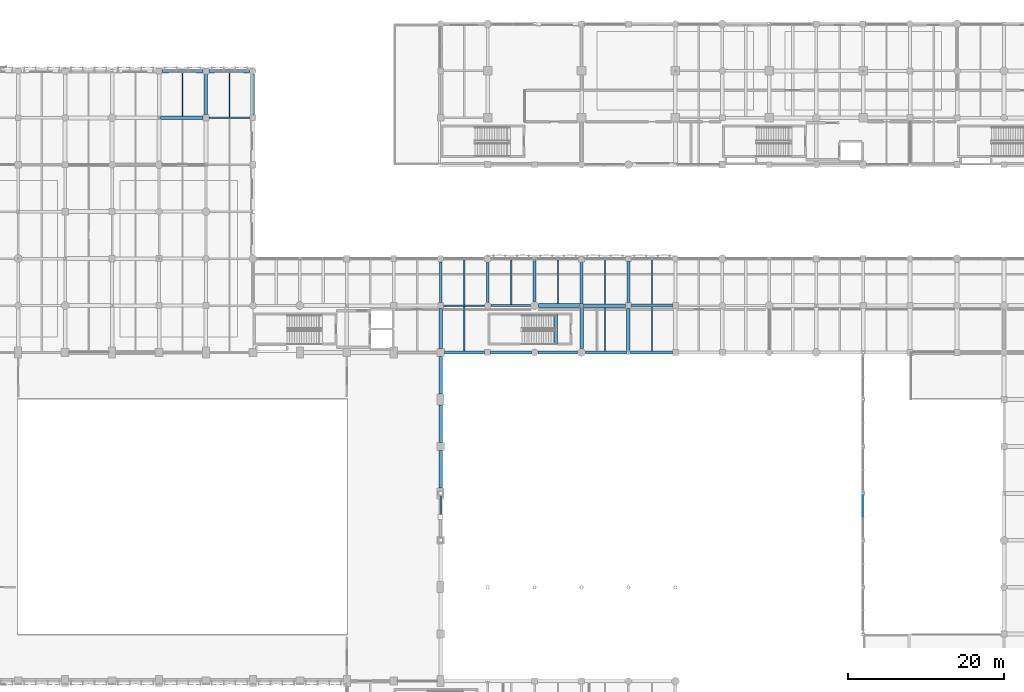
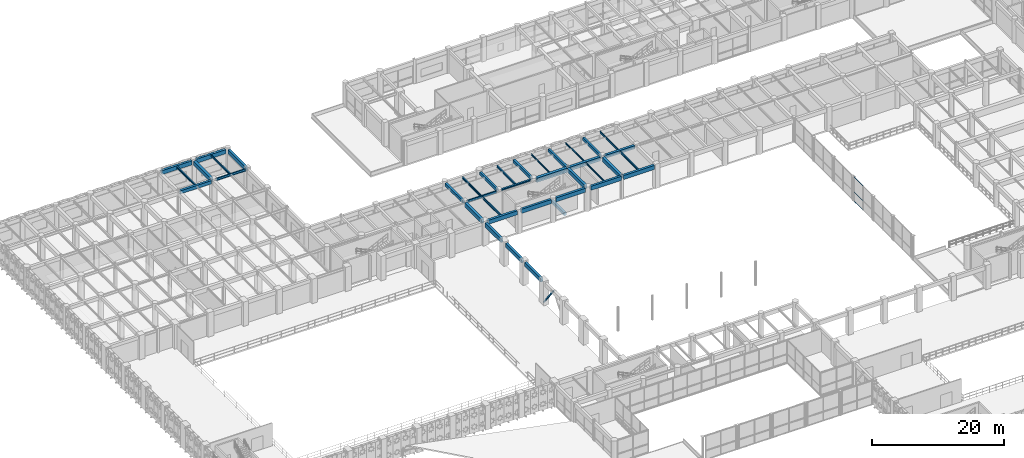
# One storey, part 37 of 133: 38 beams, 4 members, 1 element without a shape of its own.
"""IFC4 building model written with IfcOpenShell, lengths in metres."""

from ifc_helpers import new_model, si_unit, direction, frame, origin, origin_2d, place, context, subcontext, project, spatial, rectangle, hollow_rectangle, i_section, extrude, material, material_profile, profile_set, type_object, element, aggregate, save


model = new_model("IFC4")

# Units and contexts
model_context = context("Model", 3, precision=1e-05, world=origin(), true_north=direction((0.0, 1.0)))
body_context = subcontext(model_context, "Body", "Model", "MODEL_VIEW")
ifc_project = project(units=[si_unit("LENGTHUNIT", "METRE"), si_unit("AREAUNIT", "SQUARE_METRE"), si_unit("VOLUMEUNIT", "CUBIC_METRE"), si_unit("PLANEANGLEUNIT", "RADIAN"), si_unit("MASSUNIT", "GRAM", prefix="KILO"), si_unit("THERMODYNAMICTEMPERATUREUNIT", "KELVIN"), si_unit("POWERUNIT", "WATT")], contexts=[model_context])

# Site, building, storey
site_placement = place(None, origin())
site = spatial("IfcSite", under=ifc_project, at=site_placement, CompositionType="ELEMENT")
building_placement = place(site_placement, origin())
building = spatial("IfcBuilding", under=site, at=building_placement, Name="Phaisarnlok Congress Hotel", CompositionType="ELEMENT")
storey_placement = place(building_placement, frame((0.0, 0.0, 6.0)))
storey = spatial("IfcBuildingStorey", under=building, at=storey_placement, Name="L01", CompositionType="ELEMENT", Elevation=6.0)

# Beams
ifc_material_1 = material(Name="Concrete C40/50", Category="concrete")
ifc_material_profile_1 = material_profile(ifc_material_1, rectangle(XDim=0.35009765625, YDim=0.550048828125, at=origin_2d()), Name="RC 350x550")
ifc_profile_set_1 = profile_set([ifc_material_profile_1], Name="Concrete C40/50")
beam_type_1 = type_object("IfcBeamType", Name="BM-RC-350x550", PredefinedType="BEAM", material=ifc_profile_set_1)
beam_1_placement = place(storey_placement, frame((66.0, 90.3701171875, 3.945068359375), z_axis=(0.0, 1.0, 0.0), x_axis=(-1.0, 0.0, 0.0)))
element("IfcBeam", 1, at=beam_1_placement, inside=storey, type_object=beam_type_1, Name="Beam B-01", PredefinedType="BEAM", context=body_context, shape_type="SweptSolid", body=[
    extrude(rectangle(XDim=0.35009765625, YDim=0.550048828125, at=origin_2d()), origin(), (0.0, 0.0, 1.0), 5.2099609375),
])
beam_2_placement = place(storey_placement, frame((72.0, 90.419921875, 3.945068359375), z_axis=(0.0, 1.0, 0.0), x_axis=(-1.0, 0.0, 0.0)))
element("IfcBeam", 2, at=beam_2_placement, inside=storey, type_object=beam_type_1, Name="Beam B-01", PredefinedType="BEAM", context=body_context, shape_type="SweptSolid", body=[
    extrude(rectangle(XDim=0.35009765625, YDim=0.550048828125, at=origin_2d()), origin(), (0.0, 0.0, 1.0), 5.0849609375),
])
beam_3_placement = place(storey_placement, frame((78.0, 90.4951171875, 3.945068359375), z_axis=(0.0, 1.0, 0.0), x_axis=(-1.0, 0.0, 0.0)))
element("IfcBeam", 3, at=beam_3_placement, inside=storey, type_object=beam_type_1, Name="Beam B-01", PredefinedType="BEAM", context=body_context, shape_type="SweptSolid", body=[
    extrude(rectangle(XDim=0.35009765625, YDim=0.550048828125, at=origin_2d()), origin(), (0.0, 0.0, 1.0), 5.310302734375),
])
beam_4_placement = place(storey_placement, frame((84.0, 90.194580078125, 3.945068359375), z_axis=(0.0, 1.0, 0.0), x_axis=(-1.0, 0.0, 0.0)))
element("IfcBeam", 4, at=beam_4_placement, inside=storey, type_object=beam_type_1, Name="Beam B-01", PredefinedType="BEAM", context=body_context, shape_type="SweptSolid", body=[
    extrude(rectangle(XDim=0.35009765625, YDim=0.550048828125, at=origin_2d()), origin(), (0.0, 0.0, 1.0), 5.410400390625),
])
beam_5_placement = place(storey_placement, frame((90.0, 90.39501953125, 3.945068359375), z_axis=(0.0, 1.0, 0.0), x_axis=(-1.0, 0.0, 0.0)))
element("IfcBeam", 5, at=beam_5_placement, inside=storey, type_object=beam_type_1, Name="Beam B-01", PredefinedType="BEAM", context=body_context, shape_type="SweptSolid", body=[
    extrude(rectangle(XDim=0.35009765625, YDim=0.550048828125, at=origin_2d()), origin(), (0.0, 0.0, 1.0), 5.23486328125),
])
ifc_material_profile_2 = material_profile(ifc_material_1, rectangle(XDim=0.39990234375, YDim=0.60009765625, at=origin_2d()), Name="RC 400x600")
ifc_profile_set_2 = profile_set([ifc_material_profile_2], Name="Concrete C40/50")
beam_type_2 = type_object("IfcBeamType", Name="BM-RC-400x600", PredefinedType="BEAM", material=ifc_profile_set_2)
beam_6_placement = place(storey_placement, frame((30.195556640625, 114.0, 3.919921875), z_axis=(1.0, 0.0, 0.0), x_axis=(0.0, 1.0, 0.0)))
element("IfcBeam", 6, at=beam_6_placement, inside=storey, type_object=beam_type_2, Name="Beam B-02", PredefinedType="BEAM", context=body_context, shape_type="SweptSolid", body=[
    extrude(rectangle(XDim=0.39990234375, YDim=0.60009765625, at=origin_2d()), origin(), (0.0, 0.0, 1.0), 5.409423828125),
])
beam_7_placement = place(storey_placement, frame((90.39501953125, 90.0, 3.919921875), z_axis=(1.0, 0.0, 0.0), x_axis=(0.0, 1.0, 0.0)))
element("IfcBeam", 7, at=beam_7_placement, inside=storey, type_object=beam_type_2, Name="Beam B-02", PredefinedType="BEAM", context=body_context, shape_type="SweptSolid", body=[
    extrude(rectangle(XDim=0.39990234375, YDim=0.60009765625, at=origin_2d()), origin(), (0.0, 0.0, 1.0), 5.23486328125),
])
beam_8_placement = place(storey_placement, frame((80.719970703125, 85.080078125, -0.300048828125), z_axis=(0.0, 1.0, 0.0), x_axis=(-1.0, 0.0, 0.0)))
element("IfcBeam", 8, at=beam_8_placement, inside=storey, type_object=beam_type_2, Name="Stair landing header beam B-02 (STAIR-POD-C L01)", PredefinedType="BEAM", context=body_context, shape_type="SweptSolid", body=[
    extrude(rectangle(XDim=0.39990234375, YDim=0.60009765625, at=origin_2d()), origin(), (0.0, 0.0, 1.0), 3.83984375),
])
ifc_material_profile_3 = material_profile(ifc_material_1, rectangle(XDim=0.449951171875, YDim=0.699951171875, at=origin_2d()), Name="RC 450x700")
ifc_profile_set_3 = profile_set([ifc_material_profile_3], Name="Concrete C40/50")
beam_type_3 = type_object("IfcBeamType", Name="BM-RC-450x700", PredefinedType="BEAM", material=ifc_profile_set_3)
beam_9_placement = place(storey_placement, frame((36.0, 114.39501953125, 3.8701171875), z_axis=(0.0, 1.0, 0.0), x_axis=(-1.0, 0.0, 0.0)))
element("IfcBeam", 9, at=beam_9_placement, inside=storey, type_object=beam_type_3, Name="Beam B-03", PredefinedType="BEAM", context=body_context, shape_type="SweptSolid", body=[
    extrude(rectangle(XDim=0.449951171875, YDim=0.699951171875, at=origin_2d()), origin(), (0.0, 0.0, 1.0), 5.23486328125),
])
beam_10_placement = place(storey_placement, frame((66.0, 84.4951171875, 3.8701171875), z_axis=(0.0, 1.0, 0.0), x_axis=(-1.0, 0.0, 0.0)))
element("IfcBeam", 10, at=beam_10_placement, inside=storey, type_object=beam_type_3, Name="Beam B-03", PredefinedType="BEAM", context=body_context, shape_type="SweptSolid", body=[
    extrude(rectangle(XDim=0.449951171875, YDim=0.699951171875, at=origin_2d()), origin(), (0.0, 0.0, 1.0), 5.134765625),
])
beam_11_placement = place(storey_placement, frame((84.0, 84.4951171875, 3.8701171875), z_axis=(0.0, 1.0, 0.0), x_axis=(-1.0, 0.0, 0.0)))
element("IfcBeam", 11, at=beam_11_placement, inside=storey, type_object=beam_type_3, Name="Beam B-03", PredefinedType="BEAM", context=body_context, shape_type="SweptSolid", body=[
    extrude(rectangle(XDim=0.449951171875, YDim=0.699951171875, at=origin_2d()), origin(), (0.0, 0.0, 1.0), 5.310302734375),
])
beam_12_placement = place(storey_placement, frame((84.195556640625, 90.0, 3.8701171875), z_axis=(1.0, 0.0, 0.0), x_axis=(0.0, 1.0, 0.0)))
element("IfcBeam", 12, at=beam_12_placement, inside=storey, type_object=beam_type_3, Name="Beam B-03", PredefinedType="BEAM", context=body_context, shape_type="SweptSolid", body=[
    extrude(rectangle(XDim=0.449951171875, YDim=0.699951171875, at=origin_2d()), origin(), (0.0, 0.0, 1.0), 5.409423828125),
])
beam_13_placement = place(storey_placement, frame((90.0, 84.194580078125, 3.8701171875), z_axis=(0.0, 1.0, 0.0), x_axis=(-1.0, 0.0, 0.0)))
element("IfcBeam", 13, at=beam_13_placement, inside=storey, type_object=beam_type_3, Name="Beam B-03", PredefinedType="BEAM", context=body_context, shape_type="SweptSolid", body=[
    extrude(rectangle(XDim=0.449951171875, YDim=0.699951171875, at=origin_2d()), origin(), (0.0, 0.0, 1.0), 5.410400390625),
])
ifc_material_profile_4 = material_profile(ifc_material_1, rectangle(XDim=0.5, YDim=0.800048828125, at=origin_2d()), Name="RC 500x800")
ifc_profile_set_4 = profile_set([ifc_material_profile_4], Name="Concrete C40/50")
beam_type_4 = type_object("IfcBeamType", Name="BM-RC-500x800", PredefinedType="BEAM", material=ifc_profile_set_4)
beam_14_placement = place(storey_placement, frame((78.4951171875, 90.0, 3.820068359375), z_axis=(1.0, 0.0, 0.0), x_axis=(0.0, 1.0, 0.0)))
element("IfcBeam", 14, at=beam_14_placement, inside=storey, type_object=beam_type_4, Name="Beam B-04", PredefinedType="BEAM", context=body_context, shape_type="SweptSolid", body=[
    extrude(rectangle(XDim=0.5, YDim=0.800048828125, at=origin_2d()), origin(), (0.0, 0.0, 1.0), 5.309326171875),
])
ifc_material_2 = material(Name="Steel S355", Category="steel")
ifc_material_profile_5 = material_profile(ifc_material_2, i_section(OverallWidth=0.300048828125, OverallDepth=0.2900390625, WebThickness=0.008544921875, FlangeThickness=0.013916015625, FilletRadius=0.027099609375, at=origin_2d()), Name="HEA 300")
ifc_profile_set_5 = profile_set([ifc_material_profile_5], Name="Steel S355")
beam_type_5 = type_object("IfcBeamType", Name="BM-STL-HEA300", PredefinedType="BEAM", material=ifc_profile_set_5)
beam_15_placement = place(storey_placement, frame((72.419921875, 90.0, 4.074951171875), z_axis=(1.0, 0.0, 0.0), x_axis=(0.0, 1.0, 0.0)))
element("IfcBeam", 15, at=beam_15_placement, inside=storey, type_object=beam_type_5, Name="Beam SB-05", PredefinedType="BEAM", context=body_context, shape_type="SweptSolid", body=[
    extrude(i_section(OverallWidth=0.300048828125, OverallDepth=0.2900390625, WebThickness=0.008544921875, FlangeThickness=0.013916015625, FilletRadius=0.027099609375, at=origin_2d()), origin(), (0.0, 0.0, 1.0), 5.0849609375),
])
ifc_material_profile_6 = material_profile(ifc_material_2, i_section(OverallWidth=0.18994140625, OverallDepth=0.449951171875, WebThickness=0.009521484375, FlangeThickness=0.0146484375, FilletRadius=0.02099609375, at=origin_2d()), Name="IPE 450")
ifc_profile_set_6 = profile_set([ifc_material_profile_6], Name="Steel S355")
beam_type_6 = type_object("IfcBeamType", Name="BM-STL-IPE450", PredefinedType="BEAM", material=ifc_profile_set_6)
beam_16_placement = place(storey_placement, frame((36.39501953125, 114.0, 3.9951171875), z_axis=(1.0, 0.0, 0.0), x_axis=(0.0, 1.0, 0.0)))
element("IfcBeam", 16, at=beam_16_placement, inside=storey, type_object=beam_type_6, Name="Beam SB-01", PredefinedType="BEAM", context=body_context, shape_type="SweptSolid", body=[
    extrude(i_section(OverallWidth=0.18994140625, OverallDepth=0.449951171875, WebThickness=0.009521484375, FlangeThickness=0.0146484375, FilletRadius=0.02099609375, at=origin_2d()), origin(), (0.0, 0.0, 1.0), 5.23486328125),
])
beam_17_placement = place(storey_placement, frame((66.3701171875, 90.0, 3.9951171875), z_axis=(1.0, 0.0, 0.0), x_axis=(0.0, 1.0, 0.0)))
element("IfcBeam", 17, at=beam_17_placement, inside=storey, type_object=beam_type_6, Name="Beam SB-01", PredefinedType="BEAM", context=body_context, shape_type="SweptSolid", body=[
    extrude(i_section(OverallWidth=0.18994140625, OverallDepth=0.449951171875, WebThickness=0.009521484375, FlangeThickness=0.0146484375, FilletRadius=0.02099609375, at=origin_2d()), origin(), (0.0, 0.0, 1.0), 5.2099609375),
])

# Curtain wall, members
ifc_material_3 = material(Name="Thermally Broken Unitised Aluminium & Low-E Glazing", Category="aluminium")
curtain_wall_type = type_object("IfcCurtainWallType", Name="CW-UNIT-43", PredefinedType="NOTDEFINED", material=ifc_material_3)
curtain_wall_placement = place(storey_placement, origin())
curtain_wall = element("IfcCurtainWall", 18, at=curtain_wall_placement, inside=storey, type_object=curtain_wall_type, Name="Unitised curtain wall CW-43 (L01)", PredefinedType="NOTDEFINED")
ifc_material_4 = material(Name="Anodised Aluminium Alloy 6063-T6", Category="aluminium")
ifc_material_profile_7 = material_profile(ifc_material_4, hollow_rectangle(XDim=0.06494140625, YDim=0.139892578125, WallThickness=0.00390625, at=origin_2d()), Name="ALU-T 65x140x4")
ifc_profile_set_7 = profile_set([ifc_material_profile_7], Name="Anodised Aluminium Alloy 6063-T6")
member_type_1 = type_object("IfcMemberType", Name="CWT-150", PredefinedType="USERDEFINED", material=ifc_profile_set_7)
member_1_placement = place(storey_placement, frame((120.0, 65.739990234375, 0.030029296875), z_axis=(0.0, -1.0, 0.0), x_axis=(1.0, 0.0, 0.0)))
member_1 = element("IfcMember", 19, at=member_1_placement, type_object=member_type_1, Name="Curtain wall transom CWT-01", ObjectType="TRANSOM", PredefinedType="USERDEFINED", context=body_context, shape_type="SweptSolid", body=[
    extrude(hollow_rectangle(XDim=0.06494140625, YDim=0.139892578125, WallThickness=0.00390625, at=origin_2d()), origin(), (0.0, 0.0, 1.0), 2.72509765625),
])
member_2_placement = place(storey_placement, frame((120.0, 65.739990234375, 1.701416015625), z_axis=(0.0, -1.0, 0.0), x_axis=(1.0, 0.0, 0.0)))
member_2 = element("IfcMember", 20, at=member_2_placement, type_object=member_type_1, Name="Curtain wall transom CWT-01", ObjectType="TRANSOM", PredefinedType="USERDEFINED", context=body_context, shape_type="SweptSolid", body=[
    extrude(hollow_rectangle(XDim=0.06494140625, YDim=0.139892578125, WallThickness=0.00390625, at=origin_2d()), origin(), (0.0, 0.0, 1.0), 2.72509765625),
])
member_3_placement = place(storey_placement, frame((120.0, 65.739990234375, 4.4599609375), z_axis=(0.0, -1.0, 0.0), x_axis=(1.0, 0.0, 0.0)))
member_3 = element("IfcMember", 21, at=member_3_placement, type_object=member_type_1, Name="Curtain wall transom CWT-01", ObjectType="TRANSOM", PredefinedType="USERDEFINED", context=body_context, shape_type="SweptSolid", body=[
    extrude(hollow_rectangle(XDim=0.06494140625, YDim=0.139892578125, WallThickness=0.00390625, at=origin_2d()), origin(), (0.0, 0.0, 1.0), 2.72509765625),
])
aggregate(curtain_wall, [member_1, member_2, member_3])

# Beams
ifc_material_profile_8 = material_profile(ifc_material_2, i_section(OverallWidth=0.135009765625, OverallDepth=0.27001953125, WebThickness=0.006591796875, FlangeThickness=0.01025390625, FilletRadius=0.014892578125, at=origin_2d()), Name="IPE 270")
ifc_profile_set_8 = profile_set([ifc_material_profile_8], Name="Steel S355")
beam_type_7 = type_object("IfcBeamType", Name="JS-STL-IPE270", PredefinedType="JOIST", material=ifc_profile_set_8)
beam_18_placement = place(storey_placement, frame((81.0, 90.2451171875, 4.0849609375), z_axis=(0.0, 1.0, 0.0), x_axis=(-1.0, 0.0, 0.0)))
element("IfcBeam", 22, at=beam_18_placement, inside=storey, type_object=beam_type_7, Name="Secondary floor joist J-02", PredefinedType="JOIST", context=body_context, shape_type="SweptSolid", body=[
    extrude(i_section(OverallWidth=0.135009765625, OverallDepth=0.27001953125, WebThickness=0.006591796875, FlangeThickness=0.01025390625, FilletRadius=0.014892578125, at=origin_2d()), origin(), (0.0, 0.0, 1.0), 5.559814453125),
])
for number, where, z_axis, x_axis, name in (
    (23, (87.0, 84.195068359375, 4.0849609375), (0.0, 1.0, 0.0), (-1.0, 0.0, 0.0), "Secondary floor joist J-02"),
    (24, (87.0, 90.219970703125, 4.0849609375), (0.0, 1.0, 0.0), (-1.0, 0.0, 0.0), "Secondary floor joist J-02"),
):
    element("IfcBeam", number, at=place(storey_placement, frame(where, z_axis=z_axis, x_axis=x_axis)), inside=storey, type_object=beam_type_7, Name=name, PredefinedType="JOIST", context=body_context, shape_type="SweptSolid", body=[
        extrude(i_section(OverallWidth=0.135009765625, OverallDepth=0.27001953125, WebThickness=0.006591796875, FlangeThickness=0.01025390625, FilletRadius=0.014892578125, at=origin_2d()), origin(), (0.0, 0.0, 1.0), 5.5849609375),
    ])
ifc_material_profile_9 = material_profile(ifc_material_2, i_section(OverallWidth=0.169921875, OverallDepth=0.360107421875, WebThickness=0.008056640625, FlangeThickness=0.0126953125, FilletRadius=0.01806640625, at=origin_2d()), Name="IPE 360")
ifc_profile_set_9 = profile_set([ifc_material_profile_9], Name="Steel S355")
beam_type_8 = type_object("IfcBeamType", Name="JS-STL-IPE360", PredefinedType="JOIST", material=ifc_profile_set_9)
beam_19_placement = place(storey_placement, frame((33.0, 114.195068359375, 4.0400390625), z_axis=(0.0, 1.0, 0.0), x_axis=(-1.0, 0.0, 0.0)))
element("IfcBeam", 25, at=beam_19_placement, inside=storey, type_object=beam_type_8, Name="Secondary floor joist J-04", PredefinedType="JOIST", context=body_context, shape_type="SweptSolid", body=[
    extrude(i_section(OverallWidth=0.169921875, OverallDepth=0.360107421875, WebThickness=0.008056640625, FlangeThickness=0.0126953125, FilletRadius=0.01806640625, at=origin_2d()), origin(), (0.0, 0.0, 1.0), 5.60986328125),
])
beam_20_placement = place(storey_placement, frame((39.0, 114.090087890625, 4.0400390625), z_axis=(0.0, 1.0, 0.0), x_axis=(-1.0, 0.0, 0.0)))
element("IfcBeam", 26, at=beam_20_placement, inside=storey, type_object=beam_type_8, Name="Secondary floor joist J-04", PredefinedType="JOIST", context=body_context, shape_type="SweptSolid", body=[
    extrude(i_section(OverallWidth=0.169921875, OverallDepth=0.360107421875, WebThickness=0.008056640625, FlangeThickness=0.0126953125, FilletRadius=0.01806640625, at=origin_2d()), origin(), (0.0, 0.0, 1.0), 5.71484375),
])
for number, where, z_axis, x_axis, name in (
    (27, (93.0, 84.195068359375, 4.0400390625), (0.0, 1.0, 0.0), (-1.0, 0.0, 0.0), "Secondary floor joist J-04"),
    (28, (93.0, 90.195068359375, 4.0400390625), (0.0, 1.0, 0.0), (-1.0, 0.0, 0.0), "Secondary floor joist J-04"),
):
    element("IfcBeam", number, at=place(storey_placement, frame(where, z_axis=z_axis, x_axis=x_axis)), inside=storey, type_object=beam_type_8, Name=name, PredefinedType="JOIST", context=body_context, shape_type="SweptSolid", body=[
        extrude(i_section(OverallWidth=0.169921875, OverallDepth=0.360107421875, WebThickness=0.008056640625, FlangeThickness=0.0126953125, FilletRadius=0.01806640625, at=origin_2d()), origin(), (0.0, 0.0, 1.0), 5.60986328125),
    ])
ifc_material_profile_10 = material_profile(ifc_material_2, i_section(OverallWidth=0.179931640625, OverallDepth=0.39990234375, WebThickness=0.008544921875, FlangeThickness=0.013427734375, FilletRadius=0.02099609375, at=origin_2d()), Name="IPE 400")
ifc_profile_set_10 = profile_set([ifc_material_profile_10], Name="Steel S355")
beam_type_9 = type_object("IfcBeamType", Name="JS-STL-IPE400", PredefinedType="JOIST", material=ifc_profile_set_10)
for number, where, z_axis, x_axis, name in (
    (29, (69.0, 84.195068359375, 4.02001953125), (0.0, 1.0, 0.0), (-1.0, 0.0, 0.0), "Secondary floor joist J-05"),
    (30, (69.0, 90.090087890625, 4.02001953125), (0.0, 1.0, 0.0), (-1.0, 0.0, 0.0), "Secondary floor joist J-05"),
):
    element("IfcBeam", number, at=place(storey_placement, frame(where, z_axis=z_axis, x_axis=x_axis)), inside=storey, type_object=beam_type_9, Name=name, PredefinedType="JOIST", context=body_context, shape_type="SweptSolid", body=[
        extrude(i_section(OverallWidth=0.179931640625, OverallDepth=0.39990234375, WebThickness=0.008544921875, FlangeThickness=0.013427734375, FilletRadius=0.02099609375, at=origin_2d()), origin(), (0.0, 0.0, 1.0), 5.71484375),
    ])
beam_21_placement = place(storey_placement, frame((75.0, 90.14501953125, 4.02001953125), z_axis=(0.0, 1.0, 0.0), x_axis=(-1.0, 0.0, 0.0)))
element("IfcBeam", 31, at=beam_21_placement, inside=storey, type_object=beam_type_9, Name="Secondary floor joist J-05", PredefinedType="JOIST", context=body_context, shape_type="SweptSolid", body=[
    extrude(i_section(OverallWidth=0.179931640625, OverallDepth=0.39990234375, WebThickness=0.008544921875, FlangeThickness=0.013427734375, FilletRadius=0.02099609375, at=origin_2d()), origin(), (0.0, 0.0, 1.0), 5.659912109375),
])

# Member
ifc_material_profile_11 = material_profile(ifc_material_2, hollow_rectangle(XDim=0.219970703125, YDim=0.219970703125, WallThickness=0.012451171875, at=origin_2d()), Name="SHS 220x220x12.5")
ifc_profile_set_11 = profile_set([ifc_material_profile_11], Name="Steel S355")
member_type_2 = type_object("IfcMemberType", Name="MEM-BRC-SHS220", PredefinedType="BRACE", material=ifc_profile_set_11)
member_4_placement = place(storey_placement, frame((66.0, 66.0, 0.14990234375), z_axis=(0.0, -0.604808680836, 0.796370805332), x_axis=(1.0, 0.0, 0.0)))
element("IfcMember", 32, at=member_4_placement, inside=storey, type_object=member_type_2, Name="Lateral braced frame diagonal", PredefinedType="BRACE", context=body_context, shape_type="SweptSolid", body=[
    extrude(hollow_rectangle(XDim=0.219970703125, YDim=0.219970703125, WallThickness=0.012451171875, at=origin_2d()), origin(), (0.0, 0.0, 1.0), 4.960205078125),
])

# Beams
ifc_material_profile_12 = material_profile(ifc_material_1, rectangle(XDim=0.39990234375, YDim=0.75, at=origin_2d()), Name="RC 400x750")
ifc_profile_set_12 = profile_set([ifc_material_profile_12], Name="Concrete C40/50")
beam_type_10 = type_object("IfcBeamType", Name="SP-RC-400x750", PredefinedType="SPANDREL", material=ifc_profile_set_12)
beam_22_placement = place(storey_placement, frame((30.39501953125, 120.0, 3.844970703125), z_axis=(1.0, 0.0, 0.0), x_axis=(0.0, 1.0, 0.0)))
element("IfcBeam", 33, at=beam_22_placement, inside=storey, type_object=beam_type_10, Name="Beam SP-02", PredefinedType="SPANDREL", context=body_context, shape_type="SweptSolid", body=[
    extrude(rectangle(XDim=0.39990234375, YDim=0.75, at=origin_2d()), origin(), (0.0, 0.0, 1.0), 5.23486328125),
])
for number, where, z_axis, x_axis, name in (
    (34, (36.3701171875, 120.0, 3.844970703125), (1.0, 0.0, 0.0), (0.0, 1.0, 0.0), "Beam SP-02"),
    (35, (42.0, 114.3701171875, 3.844970703125), (0.0, 1.0, 0.0), (-1.0, 0.0, 0.0), "Beam SP-02"),
):
    element("IfcBeam", number, at=place(storey_placement, frame(where, z_axis=z_axis, x_axis=x_axis)), inside=storey, type_object=beam_type_10, Name=name, PredefinedType="SPANDREL", context=body_context, shape_type="SweptSolid", body=[
        extrude(rectangle(XDim=0.39990234375, YDim=0.75, at=origin_2d()), origin(), (0.0, 0.0, 1.0), 5.2099609375),
    ])
for number, where, z_axis, x_axis, name in (
    (36, (66.0, 66.695068359375, 3.844970703125), (0.0, 1.0, 0.0), (-1.0, 0.0, 0.0), "Beam SP-02"),
    (37, (66.0, 72.4951171875, 3.844970703125), (0.0, 1.0, 0.0), (-1.0, 0.0, 0.0), "Beam SP-02"),
    (38, (66.0, 78.695068359375, 3.844970703125), (0.0, 1.0, 0.0), (-1.0, 0.0, 0.0), "Beam SP-02"),
):
    element("IfcBeam", number, at=place(storey_placement, frame(where, z_axis=z_axis, x_axis=x_axis)), inside=storey, type_object=beam_type_10, Name=name, PredefinedType="SPANDREL", context=body_context, shape_type="SweptSolid", body=[
        extrude(rectangle(XDim=0.39990234375, YDim=0.75, at=origin_2d()), origin(), (0.0, 0.0, 1.0), 4.809814453125),
    ])
beam_23_placement = place(storey_placement, frame((66.4951171875, 84.0, 3.844970703125), z_axis=(1.0, 0.0, 0.0), x_axis=(0.0, 1.0, 0.0)))
element("IfcBeam", 39, at=beam_23_placement, inside=storey, type_object=beam_type_10, Name="Beam SP-02", PredefinedType="SPANDREL", context=body_context, shape_type="SweptSolid", body=[
    extrude(rectangle(XDim=0.39990234375, YDim=0.75, at=origin_2d()), origin(), (0.0, 0.0, 1.0), 5.134765625),
])
beam_24_placement = place(storey_placement, frame((72.3701171875, 84.0, 3.844970703125), z_axis=(1.0, 0.0, 0.0), x_axis=(0.0, 1.0, 0.0)))
element("IfcBeam", 40, at=beam_24_placement, inside=storey, type_object=beam_type_10, Name="Beam SP-02", PredefinedType="SPANDREL", context=body_context, shape_type="SweptSolid", body=[
    extrude(rectangle(XDim=0.39990234375, YDim=0.75, at=origin_2d()), origin(), (0.0, 0.0, 1.0), 5.2099609375),
])
beam_25_placement = place(storey_placement, frame((78.419921875, 84.0, 3.844970703125), z_axis=(1.0, 0.0, 0.0), x_axis=(0.0, 1.0, 0.0)))
element("IfcBeam", 41, at=beam_25_placement, inside=storey, type_object=beam_type_10, Name="Beam SP-02", PredefinedType="SPANDREL", context=body_context, shape_type="SweptSolid", body=[
    extrude(rectangle(XDim=0.39990234375, YDim=0.75, at=origin_2d()), origin(), (0.0, 0.0, 1.0), 5.0849609375),
])
beam_26_placement = place(storey_placement, frame((84.4951171875, 84.0, 3.844970703125), z_axis=(1.0, 0.0, 0.0), x_axis=(0.0, 1.0, 0.0)))
element("IfcBeam", 42, at=beam_26_placement, inside=storey, type_object=beam_type_10, Name="Beam SP-02", PredefinedType="SPANDREL", context=body_context, shape_type="SweptSolid", body=[
    extrude(rectangle(XDim=0.39990234375, YDim=0.75, at=origin_2d()), origin(), (0.0, 0.0, 1.0), 5.309326171875),
])
beam_27_placement = place(storey_placement, frame((90.195556640625, 84.0, 3.844970703125), z_axis=(1.0, 0.0, 0.0), x_axis=(0.0, 1.0, 0.0)))
element("IfcBeam", 43, at=beam_27_placement, inside=storey, type_object=beam_type_10, Name="Beam SP-02", PredefinedType="SPANDREL", context=body_context, shape_type="SweptSolid", body=[
    extrude(rectangle(XDim=0.39990234375, YDim=0.75, at=origin_2d()), origin(), (0.0, 0.0, 1.0), 5.409423828125),
])

save(model, "model.ifc")
